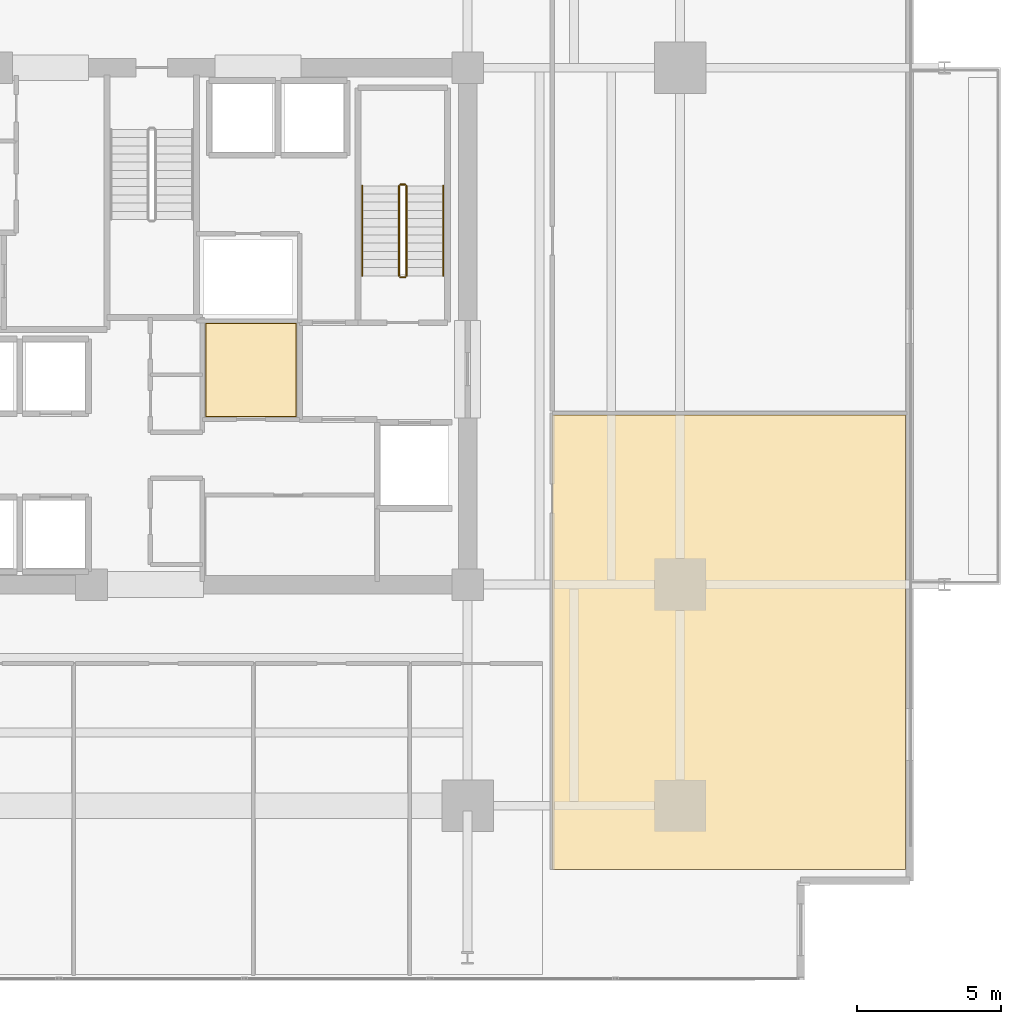
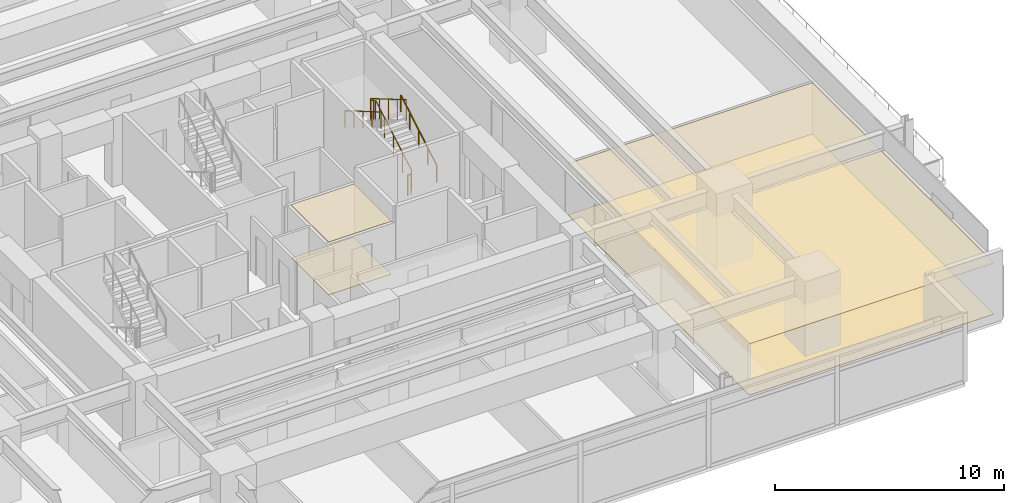
# One storey, part 22 of 23: 6 railings, 4 coverings.
"""IFC4 building model written with IfcOpenShell, lengths in metres."""

from ifc_helpers import new_model, si_unit, direction, frame, origin, origin_2d, place, context, subcontext, project, spatial, polyline, circle, outline, extrude, material, layer, layer_set, type_object, element, save


model = new_model("IFC4")

# Units and contexts
model_context = context("Model", 3, precision=1e-05, world=origin(), true_north=direction((0.0, 1.0)))
body_context = subcontext(model_context, "Body", "Model", "MODEL_VIEW")
ifc_project = project(units=[si_unit("LENGTHUNIT", "METRE"), si_unit("AREAUNIT", "SQUARE_METRE"), si_unit("VOLUMEUNIT", "CUBIC_METRE"), si_unit("PLANEANGLEUNIT", "RADIAN"), si_unit("MASSUNIT", "GRAM", prefix="KILO")], contexts=[model_context])

# Site, building, storey
site_placement = place(None, origin())
site = spatial("IfcSite", under=ifc_project, at=site_placement, CompositionType="ELEMENT")
building_placement = place(site_placement, origin())
building = spatial("IfcBuilding", under=site, at=building_placement, Name="Kovane Verandah Tower", CompositionType="ELEMENT")
storey_placement = place(building_placement, frame((0.0, 0.0, 103.60009765625)))
storey = spatial("IfcBuildingStorey", under=building, at=storey_placement, Name="L24", CompositionType="ELEMENT", Elevation=103.60009765625)

# Coverings
ifc_material_1 = material(Name="Perforated Acoustic Mineral-Fibre Ceiling Tile", Category="gypsum")
ifc_layer_1 = layer(ifc_material_1, 0.02490234375)
ifc_layer_set_1 = layer_set([ifc_layer_1], Name="Perforated Acoustic Mineral-Fibre Ceiling Tile")
covering_type_1 = type_object("IfcCoveringType", Name="CV-CEIL-25", PredefinedType="CEILING", material=ifc_layer_set_1)
covering_1_placement = place(storey_placement, frame((0.0, 0.0, 2.824951171875)))
element("IfcCovering", 1, at=covering_1_placement, inside=storey, type_object=covering_type_1, Name="L24 Document Archive Room Acoustic Ceiling", PredefinedType="CEILING", context=body_context, shape_type="SweptSolid", body=[
    extrude(outline(polyline([(41.864990234375, 24.3349609375), (45.034912109375, 24.3349609375), (45.034912109375, 27.614990234375), (41.864990234375, 27.614990234375), (41.864990234375, 24.3349609375)])), origin(), (0.0, 0.0, 1.0), 0.02490234375),
])
covering_2_placement = place(storey_placement, frame((0.0, 0.0, 2.728271484375)))
element("IfcCovering", 2, at=covering_2_placement, inside=storey, type_object=covering_type_1, Name="L24 Meeting Room E1 Acoustic Ceiling", PredefinedType="CEILING", context=body_context, shape_type="SweptSolid", body=[
    extrude(outline(polyline([(53.949951171875, 8.5810546875), (66.24853515625, 8.5810546875), (66.24853515625, 24.403076171875), (53.949951171875, 24.403076171875), (53.949951171875, 8.5810546875)])), origin(), (0.0, 0.0, 1.0), 0.025146484375),
])
ifc_material_2 = material(Name="Polished Terrazzo and Raised-Access Carpet Tile Finish", Category="concrete")
ifc_layer_2 = layer(ifc_material_2, 0.030029296875)
ifc_layer_set_2 = layer_set([ifc_layer_2], Name="Polished Terrazzo and Raised-Access Carpet Tile Finish")
covering_type_2 = type_object("IfcCoveringType", Name="CV-FLOR-30", PredefinedType="FLOORING", material=ifc_layer_set_2)
covering_3_placement = place(storey_placement, origin())
element("IfcCovering", 3, at=covering_3_placement, inside=storey, type_object=covering_type_2, Name="L24 Document Archive Room Floor Finish", PredefinedType="FLOORING", context=body_context, shape_type="SweptSolid", body=[
    extrude(outline(polyline([(41.8798828125, 24.35009765625), (45.02001953125, 24.35009765625), (45.02001953125, 27.60009765625), (41.8798828125, 27.60009765625), (41.8798828125, 24.35009765625)])), origin(), (0.0, 0.0, 1.0), 0.02978515625),
])
covering_4_placement = place(storey_placement, origin())
element("IfcCovering", 4, at=covering_4_placement, inside=storey, type_object=covering_type_2, Name="L24 Meeting Room E1 Floor Finish", PredefinedType="FLOORING", context=body_context, shape_type="SweptSolid", body=[
    extrude(outline(polyline([(53.949951171875, 8.5810546875), (66.24853515625, 8.5810546875), (66.24853515625, 24.403076171875), (53.949951171875, 24.403076171875), (53.949951171875, 8.5810546875)])), origin(), (0.0, 0.0, 1.0), 0.02978515625),
])

# Railings
ifc_material_3 = material(Name="Brushed Stainless Steel Handrail", Category="steel")
railing_type_1 = type_object("IfcRailingType", Name="RL-HAND-920", PredefinedType="HANDRAIL", material=ifc_material_3)
railing_1_placement = place(storey_placement, frame((50.14990234375, 29.25, 0.16650390625)))
element("IfcRailing", 5, at=railing_1_placement, inside=storey, type_object=railing_type_1, Name="L24 ST-02 stair handrail 1", PredefinedType="HANDRAIL", context=body_context, shape_type="SweptSolid", body=[
    extrude(circle(Radius=0.02392578125, at=origin_2d()), frame((0.0, 0.0, 0.8759765625), z_axis=(0.0, 0.863210265497, 0.504844567704), x_axis=(-1.0, 0.0, 0.0)), (0.0, 0.0, 1.0), 3.6318359375),
    extrude(circle(Radius=0.02099609375, at=origin_2d()), origin(), (0.0, 0.0, 1.0), 0.851806640625),
    extrude(circle(Radius=0.02099609375, at=origin_2d()), frame((0.0, 0.78369140625, 0.45849609375)), (0.0, 0.0, 1.0), 0.851806640625),
    extrude(circle(Radius=0.02099609375, at=origin_2d()), frame((0.0, 1.5673828125, 0.916748046875)), (0.0, 0.0, 1.0), 0.851806640625),
    extrude(circle(Radius=0.02099609375, at=origin_2d()), frame((0.0, 2.351318359375, 1.375)), (0.0, 0.0, 1.0), 0.851806640625),
    extrude(circle(Radius=0.02099609375, at=origin_2d()), frame((0.0, 3.135009765625, 1.83349609375)), (0.0, 0.0, 1.0), 0.851806640625),
])
railing_2_placement = place(storey_placement, frame((47.330078125, 32.385009765625, 2.16650390625)))
element("IfcRailing", 6, at=railing_2_placement, inside=storey, type_object=railing_type_1, Name="L24 ST-02 stair handrail 2", PredefinedType="HANDRAIL", context=body_context, shape_type="SweptSolid", body=[
    extrude(circle(Radius=0.02392578125, at=origin_2d()), frame((0.0, 0.0, 0.8759765625), z_axis=(0.0, -0.863210265497, 0.504844567704), x_axis=(1.0, 0.0, 0.0)), (0.0, 0.0, 1.0), 3.6318359375),
    extrude(circle(Radius=0.02099609375, at=origin_2d()), origin(), (0.0, 0.0, 1.0), 0.851806640625),
    extrude(circle(Radius=0.02099609375, at=origin_2d()), frame((0.0, -0.78369140625, 0.45849609375)), (0.0, 0.0, 1.0), 0.851806640625),
    extrude(circle(Radius=0.02099609375, at=origin_2d()), frame((0.0, -1.5673828125, 0.916748046875)), (0.0, 0.0, 1.0), 0.851806640625),
    extrude(circle(Radius=0.02099609375, at=origin_2d()), frame((0.0, -2.351318359375, 1.375)), (0.0, 0.0, 1.0), 0.851806640625),
    extrude(circle(Radius=0.02099609375, at=origin_2d()), frame((0.0, -3.135009765625, 1.83349609375)), (0.0, 0.0, 1.0), 0.851806640625),
])
ifc_material_4 = material(Name="Painted Steel Stairwell Guardrail", Category="steel")
railing_type_2 = type_object("IfcRailingType", Name="RL-STGUARD-1120", PredefinedType="GUARDRAIL", material=ifc_material_4)
railing_3_placement = place(storey_placement, frame((48.8701171875, 29.25, 0.16650390625)))
element("IfcRailing", 7, at=railing_3_placement, inside=storey, type_object=railing_type_2, Name="L24 ST-02 stair guard 1", PredefinedType="GUARDRAIL", context=body_context, shape_type="SweptSolid", body=[
    extrude(circle(Radius=0.02392578125, at=origin_2d()), frame((0.0, 0.0, 1.076171875), z_axis=(0.0, 0.863210265497, 0.504844567704), x_axis=(-1.0, 0.0, 0.0)), (0.0, 0.0, 1.0), 3.6318359375),
    extrude(circle(Radius=0.02099609375, at=origin_2d()), origin(), (0.0, 0.0, 1.0), 1.052001953125),
    extrude(circle(Radius=0.02099609375, at=origin_2d()), frame((0.0, 0.78369140625, 0.45849609375)), (0.0, 0.0, 1.0), 1.052001953125),
    extrude(circle(Radius=0.02099609375, at=origin_2d()), frame((0.0, 1.5673828125, 0.916748046875)), (0.0, 0.0, 1.0), 1.052001953125),
    extrude(circle(Radius=0.02099609375, at=origin_2d()), frame((0.0, 2.351318359375, 1.375)), (0.0, 0.0, 1.0), 1.052001953125),
    extrude(circle(Radius=0.02099609375, at=origin_2d()), frame((0.0, 3.135009765625, 1.83349609375)), (0.0, 0.0, 1.0), 1.052001953125),
])
railing_4_placement = place(storey_placement, frame((48.820068359375, 32.43505859375, 2.0)))
element("IfcRailing", 8, at=railing_4_placement, inside=storey, type_object=railing_type_2, Name="L24 ST-02 stair guard 2", PredefinedType="GUARDRAIL", context=body_context, shape_type="SweptSolid", body=[
    extrude(circle(Radius=0.02392578125, at=origin_2d()), frame((0.0, 0.0, 1.076171875), z_axis=(-1.0, 0.0, 0.0), x_axis=(0.0, -1.0, 0.0)), (0.0, 0.0, 1.0), 0.16015625),
    extrude(circle(Radius=0.02099609375, at=origin_2d()), origin(), (0.0, 0.0, 1.0), 1.052001953125),
    extrude(circle(Radius=0.02099609375, at=origin_2d()), frame((-0.16015625, 0.0, 0.0)), (0.0, 0.0, 1.0), 1.052001953125),
])
railing_5_placement = place(storey_placement, frame((48.610107421875, 32.385009765625, 2.16650390625)))
element("IfcRailing", 9, at=railing_5_placement, inside=storey, type_object=railing_type_2, Name="L24 ST-02 stair guard 3", PredefinedType="GUARDRAIL", context=body_context, shape_type="SweptSolid", body=[
    extrude(circle(Radius=0.02392578125, at=origin_2d()), frame((0.0, 0.0, 1.076171875), z_axis=(0.0, -0.863210265497, 0.504844567704), x_axis=(1.0, 0.0, 0.0)), (0.0, 0.0, 1.0), 3.6318359375),
    extrude(circle(Radius=0.02099609375, at=origin_2d()), origin(), (0.0, 0.0, 1.0), 1.052001953125),
    extrude(circle(Radius=0.02099609375, at=origin_2d()), frame((0.0, -0.78369140625, 0.45849609375)), (0.0, 0.0, 1.0), 1.052001953125),
    extrude(circle(Radius=0.02099609375, at=origin_2d()), frame((0.0, -1.5673828125, 0.916748046875)), (0.0, 0.0, 1.0), 1.052001953125),
    extrude(circle(Radius=0.02099609375, at=origin_2d()), frame((0.0, -2.351318359375, 1.375)), (0.0, 0.0, 1.0), 1.052001953125),
    extrude(circle(Radius=0.02099609375, at=origin_2d()), frame((0.0, -3.135009765625, 1.83349609375)), (0.0, 0.0, 1.0), 1.052001953125),
])
railing_6_placement = place(storey_placement, frame((48.820068359375, 29.199951171875, 0.0)))
element("IfcRailing", 10, at=railing_6_placement, inside=storey, type_object=railing_type_2, Name="L24 ST-02 stair guard 4", PredefinedType="GUARDRAIL", context=body_context, shape_type="SweptSolid", body=[
    extrude(circle(Radius=0.02392578125, at=origin_2d()), frame((0.0, 0.0, 1.076171875), z_axis=(-1.0, 0.0, 0.0), x_axis=(0.0, -1.0, 0.0)), (0.0, 0.0, 1.0), 0.16015625),
    extrude(circle(Radius=0.02099609375, at=origin_2d()), origin(), (0.0, 0.0, 1.0), 1.052001953125),
    extrude(circle(Radius=0.02099609375, at=origin_2d()), frame((-0.16015625, 0.0, 0.0)), (0.0, 0.0, 1.0), 1.052001953125),
])

save(model, "model.ifc")
